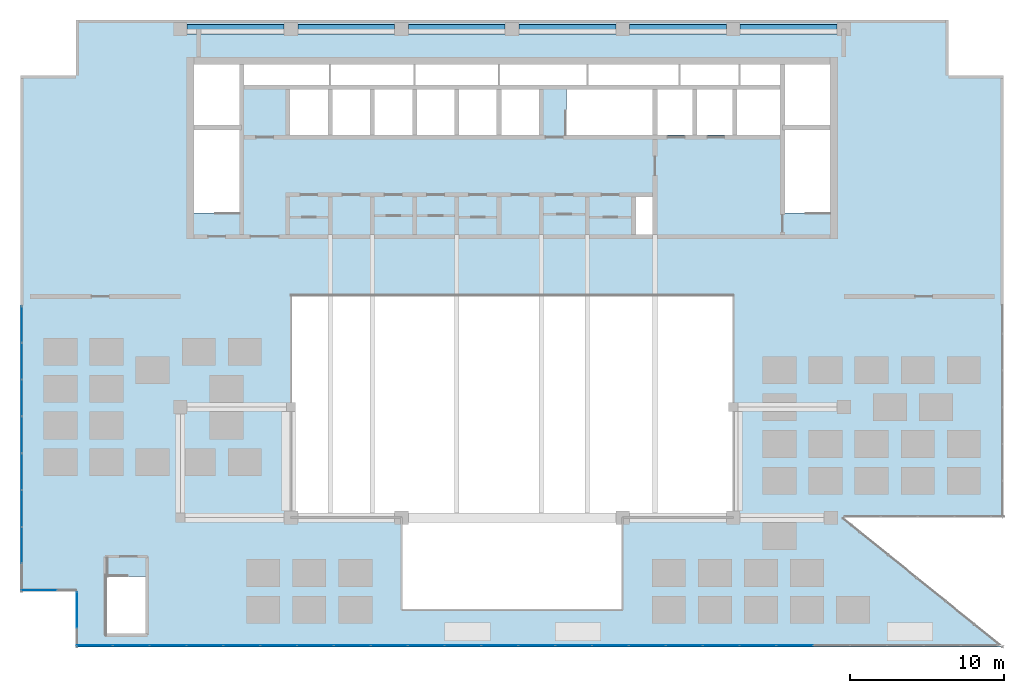
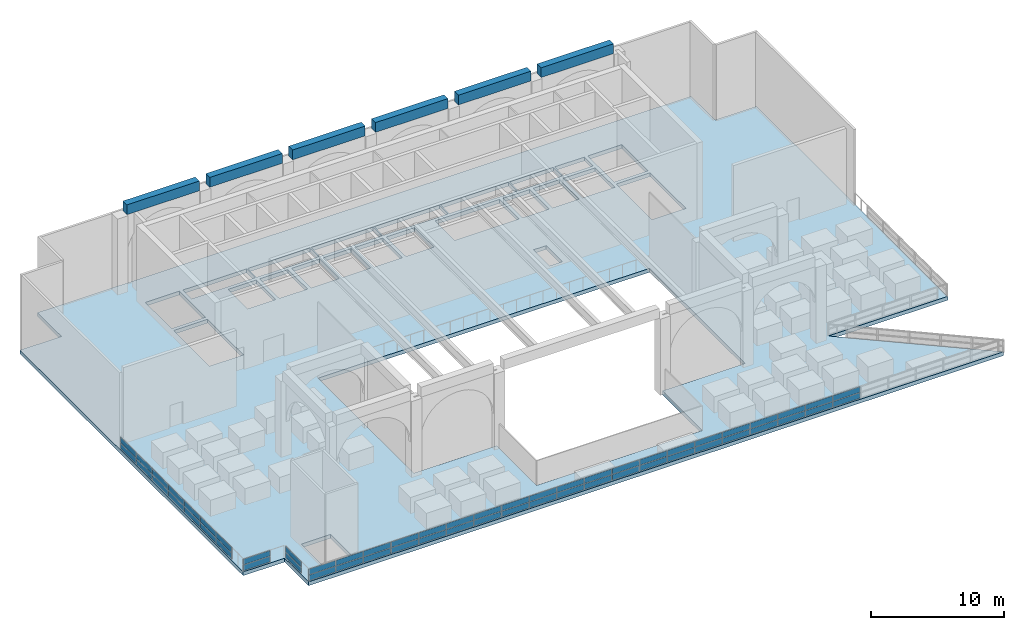
# One storey, part 11 of 17: 58 plates, 6 beams, 1 slab, 4 elements without a shape of their own.
"""IFC4 building model written with IfcOpenShell, lengths in metres."""

import ifcopenshell
import ifcopenshell.guid

model = None  # the IFC model being written
_history = None  # IfcOwnerHistory: only IFC2X3 demands one
_inside = {}  # id of a spatial element -> (the spatial element, [elements in it])
_under = {}  # id of a project, library or spatial element -> (it, [spatial elements below it])
_declared = {}  # id of a project -> (the project, [libraries it declares])
_typed = {}  # id of a type object -> (the type object, [elements of that type])
_made_of = {}  # id of a material, layer set ... -> (it, [elements and type objects made of it])


def new_model(schema):
    """Start an empty IFC model of exactly this schema.

    Asked for "IFC4X3", IfcOpenShell would pick the latest addendum, in which some entities
    have other attributes; the version numbers below select the first issue.
    IFC2X3 requires an IfcOwnerHistory on every rooted entity: one is made here for all.
    """
    global model, _history
    if schema == "IFC4X3":
        model = ifcopenshell.file(schema_version=(4, 3, 0, 0))
    else:
        model = ifcopenshell.file(schema=schema)
    _inside.clear()
    _under.clear()
    _declared.clear()
    _typed.clear()
    _made_of.clear()
    _history = None
    if model.schema == "IFC2X3":
        org = make("IfcOrganization", Name="unknown")
        user = make(
            "IfcPersonAndOrganization",
            ThePerson=make("IfcPerson", FamilyName="unknown"),
            TheOrganization=org,
        )
        app = make(
            "IfcApplication",
            ApplicationDeveloper=org,
            Version="unknown",
            ApplicationFullName="unknown",
            ApplicationIdentifier="unknown",
        )
        _history = make(
            "IfcOwnerHistory",
            OwningUser=user,
            OwningApplication=app,
            ChangeAction="ADDED",
            CreationDate=0,
        )
    return model


def make(cls, **values):
    """One entity of the class cls with the attributes given. An attribute that is None is left unset."""
    return model.create_entity(
        cls, **{name: value for name, value in values.items() if value is not None}
    )


def rooted(cls, **values):
    """An entity with a GlobalId (a new one), such as an element, a storey or a relation."""
    return make(cls, GlobalId=ifcopenshell.guid.new(), OwnerHistory=_history, **values)


def si_unit(unit_type, name, prefix=None):
    """IfcSIUnit, for example si_unit("LENGTHUNIT", "METRE", prefix="MILLI")."""
    return make("IfcSIUnit", UnitType=unit_type, Prefix=prefix, Name=name)


def assignment(units):
    """IfcUnitAssignment: the units of a project."""
    return None if units is None else make("IfcUnitAssignment", Units=units)


def point(xyz):
    """IfcCartesianPoint."""
    return None if xyz is None else make("IfcCartesianPoint", Coordinates=xyz)


def direction(xyz):
    """IfcDirection."""
    return None if xyz is None else make("IfcDirection", DirectionRatios=xyz)


def frame(location, z_axis=None, x_axis=None):
    """IfcAxis2Placement3D, a coordinate frame: its origin and axes. An axis left out is left unset."""
    return make(
        "IfcAxis2Placement3D",
        Location=point(location),
        Axis=direction(z_axis),
        RefDirection=direction(x_axis),
    )


def frame_2d(location, x_axis=None):
    """IfcAxis2Placement2D, a coordinate frame in the plane: its origin and x axis."""
    return make(
        "IfcAxis2Placement2D", Location=point(location), RefDirection=direction(x_axis)
    )


def origin():
    """The frame at (0, 0, 0) with its axes left unset."""
    return frame((0.0, 0.0, 0.0))


def origin_2d():
    """The frame at (0, 0) in the plane with its x axis left unset."""
    return frame_2d((0.0, 0.0))


def place(relative_to, where):
    """IfcLocalPlacement: puts the frame where relative to a parent placement (None: the world)."""
    return make(
        "IfcLocalPlacement", PlacementRelTo=relative_to, RelativePlacement=where
    )


def context(
    kind, dimensions, precision=None, world=None, true_north=None, identifier=None
):
    """IfcGeometricRepresentationContext, for example the 3D "Model" context."""
    return make(
        "IfcGeometricRepresentationContext",
        ContextIdentifier=identifier,
        ContextType=kind,
        CoordinateSpaceDimension=dimensions,
        Precision=precision,
        WorldCoordinateSystem=world,
        TrueNorth=true_north,
    )


def subcontext(parent, identifier, kind, view, scale=None):
    """IfcGeometricRepresentationSubContext, for example "Body" below "Model"."""
    return make(
        "IfcGeometricRepresentationSubContext",
        ContextIdentifier=identifier,
        ContextType=kind,
        ParentContext=parent,
        TargetScale=scale,
        TargetView=view,
    )


def project(units=None, contexts=None):
    """IfcProject with its units and contexts."""
    return rooted(
        "IfcProject",
        Name="project",
        RepresentationContexts=contexts,
        UnitsInContext=assignment(units),
    )


def spatial(cls, under=None, at=None, **own):
    """A site, building, storey or space (cls), placed at a placement, below another one or the project."""
    s = rooted(cls, ObjectPlacement=at, **own)
    if under is not None:
        _under.setdefault(under.id(), (under, []))[1].append(s)
    return s


def polyline(points):
    """IfcPolyline through the points."""
    return make("IfcPolyline", Points=[point(p) for p in points])


def profile(cls, at=None, kind="AREA", **sizes):
    """A parametric profile (cls). Its sizes go by their IFC names, for example OverallWidth=200.0."""
    return make(cls, ProfileType=kind, Position=at, **sizes)


def rectangle(**sizes):
    """IfcRectangleProfileDef."""
    return profile("IfcRectangleProfileDef", **sizes)


def outline(outer, holes=None, kind="AREA"):
    """IfcArbitraryClosedProfileDef: a profile drawn as a closed curve; with holes, ...WithVoids."""
    if holes is None:
        return make("IfcArbitraryClosedProfileDef", ProfileType=kind, OuterCurve=outer)
    return make(
        "IfcArbitraryProfileDefWithVoids",
        ProfileType=kind,
        OuterCurve=outer,
        InnerCurves=holes,
    )


def extrude(swept, where, along, depth):
    """IfcExtrudedAreaSolid: the profile swept, set in the frame where, extruded along a direction by depth."""
    return make(
        "IfcExtrudedAreaSolid",
        SweptArea=swept,
        Position=where,
        ExtrudedDirection=direction(along),
        Depth=depth,
    )


def shape(context_of_items, identifier, shape_type, items):
    """IfcShapeRepresentation: the items that make up one representation, for example the "Body"."""
    return make(
        "IfcShapeRepresentation",
        ContextOfItems=context_of_items,
        RepresentationIdentifier=identifier,
        RepresentationType=shape_type,
        Items=items,
    )


def source(mapping_origin, context_of_items, identifier, shape_type, items):
    """IfcRepresentationMap: a shape defined once, which mapped items show again and again."""
    return make(
        "IfcRepresentationMap",
        MappingOrigin=mapping_origin,
        MappedRepresentation=shape(context_of_items, identifier, shape_type, items),
    )


def transform(
    local_origin,
    x_axis=None,
    y_axis=None,
    z_axis=None,
    scale=None,
    scale2=None,
    scale3=None,
    uniform=True,
):
    """IfcCartesianTransformationOperator3D, or its non-uniform kind. x_axis, y_axis, z_axis: its Axis1, 2, 3."""
    if uniform:
        return make(
            "IfcCartesianTransformationOperator3D",
            Axis1=direction(x_axis),
            Axis2=direction(y_axis),
            LocalOrigin=point(local_origin),
            Scale=scale,
            Axis3=direction(z_axis),
        )
    return make(
        "IfcCartesianTransformationOperator3DnonUniform",
        Axis1=direction(x_axis),
        Axis2=direction(y_axis),
        LocalOrigin=point(local_origin),
        Scale=scale,
        Axis3=direction(z_axis),
        Scale2=scale2,
        Scale3=scale3,
    )


def mapped(mapping_source, mapping_target):
    """IfcMappedItem: shows the shape of a source again, moved by a transform."""
    return make(
        "IfcMappedItem", MappingSource=mapping_source, MappingTarget=mapping_target
    )


def material(Name=None, Category=None):
    """IfcMaterial."""
    return make("IfcMaterial", Name=Name, Category=Category)


def layer(
    of_material, thickness, ventilated=None, Name=None, Category=None, Priority=None
):
    """IfcMaterialLayer: one layer of a wall or slab, of a material (None: an air gap)."""
    return make(
        "IfcMaterialLayer",
        Material=of_material,
        LayerThickness=thickness,
        IsVentilated=ventilated,
        Name=Name,
        Category=Category,
        Priority=Priority,
    )


def layer_set(layers, Name=None):
    """IfcMaterialLayerSet."""
    return make("IfcMaterialLayerSet", MaterialLayers=layers, LayerSetName=Name)


def material_profile(
    of_material, cross_section, Name=None, Category=None, Priority=None
):
    """IfcMaterialProfile: a cross section and its material."""
    return make(
        "IfcMaterialProfile",
        Name=Name,
        Material=of_material,
        Profile=cross_section,
        Priority=Priority,
        Category=Category,
    )


def profile_set(profiles, Name=None, composite=None):
    """IfcMaterialProfileSet."""
    return make(
        "IfcMaterialProfileSet",
        Name=Name,
        MaterialProfiles=profiles,
        CompositeProfile=composite,
    )


def made_of(thing, what):
    """Note that an element or type object is made of a material, layer set ...; save() writes the relation."""
    if what is not None:
        _made_of.setdefault(what.id(), (what, []))[1].append(thing)
    return thing


def type_object(cls, material=None, **own):
    """A type object (cls), such as IfcWallType, which elements share."""
    return made_of(rooted(cls, **own), material)


def element(
    cls,
    number,
    at=None,
    inside=None,
    cuts=None,
    type_object=None,
    material=None,
    context=None,
    identifier="Body",
    shape_type=None,
    held_by="IfcProductDefinitionShape",
    body=None,
    shapes=None,
    **own,
):
    """One element of the class cls, such as IfcWall. Its Tag is "e" and its number.

    at: its placement. inside: the storey or other place that contains it. cuts: it is an
    opening in that element (IfcRelVoidsElement). A single representation is given by context,
    identifier, shape_type and body (its items); several are given by shapes. held_by: the class
    of the entity that holds the representations. save() writes the other relations.
    """
    e = rooted(cls, Tag="e%d" % number, ObjectPlacement=at, **own)
    if body is not None:
        shapes = [shape(context, identifier, shape_type, body)]
    if shapes is not None:
        e.Representation = make(held_by, Representations=shapes)
    if inside is not None:
        _inside.setdefault(inside.id(), (inside, []))[1].append(e)
    if cuts is not None:
        rooted(
            "IfcRelVoidsElement", RelatingBuildingElement=cuts, RelatedOpeningElement=e
        )
    if type_object is not None:
        _typed.setdefault(type_object.id(), (type_object, []))[1].append(e)
    return made_of(e, material)


def aggregate(whole, parts):
    """IfcRelAggregates: a whole, such as a stair, and the parts it consists of."""
    return rooted("IfcRelAggregates", RelatingObject=whole, RelatedObjects=parts)


def save(model, path):
    """Write the relations noted so far, then the file.

    IfcRelAggregates (storeys below a building ...), IfcRelContainedInSpatialStructure (elements
    in a storey), IfcRelDefinesByType, IfcRelAssociatesMaterial and IfcRelDeclares: one each for
    every whole, place, type object, material and project.
    """
    for whole, parts in _under.values():
        aggregate(whole, parts)
    for where, things in _inside.values():
        rooted(
            "IfcRelContainedInSpatialStructure",
            RelatedElements=things,
            RelatingStructure=where,
        )
    for kind, things in _typed.values():
        rooted("IfcRelDefinesByType", RelatedObjects=things, RelatingType=kind)
    for what, things in _made_of.values():
        rooted("IfcRelAssociatesMaterial", RelatedObjects=things, RelatingMaterial=what)
    for by, libraries in _declared.values():
        rooted("IfcRelDeclares", RelatingContext=by, RelatedDefinitions=libraries)
    model.write(path)


model = new_model("IFC4")

# Units and contexts
model_context = context("Model", 3, precision=1e-05, world=origin(), true_north=direction((0.0, 1.0)))
body_context = subcontext(model_context, "Body", "Model", "MODEL_VIEW")
ifc_project = project(units=[si_unit("LENGTHUNIT", "METRE"), si_unit("AREAUNIT", "SQUARE_METRE"), si_unit("VOLUMEUNIT", "CUBIC_METRE"), si_unit("PLANEANGLEUNIT", "RADIAN"), si_unit("MASSUNIT", "GRAM", prefix="KILO")], contexts=[model_context])

# Site, building, storey
site_placement = place(None, origin())
site = spatial("IfcSite", under=ifc_project, at=site_placement, CompositionType="ELEMENT")
building_placement = place(site_placement, origin())
building = spatial("IfcBuilding", under=site, at=building_placement, Name="Saffron Iwan Residences", CompositionType="ELEMENT")
storey_placement = place(building_placement, frame((0.0, 0.0, 274.5)))
storey = spatial("IfcBuildingStorey", under=building, at=storey_placement, Name="L74", CompositionType="ELEMENT", Elevation=274.5)

# Beams
ifc_material_1 = material(Name="Concrete C40/50", Category="concrete")
ifc_material_profile = material_profile(ifc_material_1, rectangle(XDim=0.60009765625, YDim=0.89990234375, at=origin_2d()), Name="RC 600x900")
ifc_profile_set = profile_set([ifc_material_profile], Name="Concrete C40/50")
beam_type = type_object("IfcBeamType", Name="BEAM RC 600x900 C40/50 TOP 7900", PredefinedType="BEAM", material=ifc_profile_set)
shared_shape_1 = source(origin(), body_context, "Body", "SweptSolid", [
    extrude(rectangle(XDim=0.60009765625, YDim=0.89990234375, at=origin_2d()), origin(), (0.0, 0.0, 1.0), 6.300048828125),
])
for number, where, z_axis, x_axis, name in (
    (1, (29.25, 79.800048828125, 7.449951171875), (1.0, 0.0, 0.0), (0.0, 1.0, 0.0), "Crown ring beam"),
    (2, (36.449951171875, 79.800048828125, 7.449951171875), (1.0, 0.0, 0.0), (0.0, 1.0, 0.0), "Crown ring beam"),
    (3, (43.64990234375, 79.800048828125, 7.449951171875), (1.0, 0.0, 0.0), (0.0, 1.0, 0.0), "Crown ring beam"),
    (4, (58.050048828125, 79.800048828125, 7.449951171875), (1.0, 0.0, 0.0), (0.0, 1.0, 0.0), "Crown ring beam"),
    (5, (65.25, 79.800048828125, 7.449951171875), (1.0, 0.0, 0.0), (0.0, 1.0, 0.0), "Crown ring beam"),
):
    element("IfcBeam", number, at=place(storey_placement, frame(where, z_axis=z_axis, x_axis=x_axis)), inside=storey, type_object=beam_type, Name=name, PredefinedType="BEAM", context=body_context, shape_type="MappedRepresentation", body=[
        mapped(shared_shape_1, transform((0.0, 0.0, 0.0))),
    ])
shared_shape_2 = source(origin(), body_context, "Body", "SweptSolid", [
    extrude(rectangle(XDim=0.60009765625, YDim=0.89990234375, at=origin_2d()), origin(), (0.0, 0.0, 1.0), 6.2998046875),
])
beam_placement = place(storey_placement, frame((50.85009765625, 79.800048828125, 7.449951171875), z_axis=(1.0, 0.0, 0.0), x_axis=(0.0, 1.0, 0.0)))
element("IfcBeam", 6, at=beam_placement, inside=storey, type_object=beam_type, Name="Crown ring beam", PredefinedType="BEAM", context=body_context, shape_type="MappedRepresentation", body=[
    mapped(shared_shape_2, transform((0.0, 0.0, 0.0))),
])

# Slab
ifc_layer_1 = layer(ifc_material_1, 0.35009765625)
ifc_layer_set_1 = layer_set([ifc_layer_1], Name="Concrete C40/50")
slab_type = type_object("IfcSlabType", Name="PT TERRACE PLATE 350 C40/50", PredefinedType="FLOOR", material=ifc_layer_set_1)
slab_placement = place(storey_placement, frame((0.0, 0.0, -0.35009765625)))
element("IfcSlab", 7, at=slab_placement, inside=storey, type_object=slab_type, Name="Terrace slab L74", PredefinedType="FLOOR", context=body_context, shape_type="SweptSolid", body=[
    extrude(outline(polyline([(18.39990234375, 43.199951171875), (18.39990234375, 76.800048828125), (22.0, 76.800048828125), (22.0, 80.39990234375), (78.800048828125, 80.39990234375), (78.800048828125, 76.800048828125), (82.39990234375, 76.800048828125), (82.39990234375, 48.0), (72.0, 48.0), (82.39990234375, 39.60009765625), (22.0, 39.60009765625), (22.0, 43.199951171875), (18.39990234375, 43.199951171875)]), holes=[polyline([(64.800048828125, 48.0), (64.800048828125, 62.39990234375), (36.0, 62.39990234375), (36.0, 48.0), (43.199951171875, 48.0), (43.199951171875, 42.0), (57.60009765625, 42.0), (57.60009765625, 48.0), (64.800048828125, 48.0)]), polyline([(26.550048828125, 44.169677734375), (24.0, 44.169677734375), (24.0, 40.449951171875), (26.550048828125, 40.449951171875), (26.550048828125, 44.169677734375)]), polyline([(32.64990234375, 73.25), (29.699951171875, 73.25), (29.699951171875, 67.8505859375), (32.64990234375, 67.8505859375), (32.64990234375, 73.25)]), polyline([(38.39990234375, 75.875), (35.949951171875, 75.875), (35.949951171875, 72.925048828125), (38.39990234375, 72.925048828125), (38.39990234375, 75.875)]), polyline([(41.14990234375, 72.925048828125), (41.14990234375, 75.875), (38.699951171875, 75.875), (38.699951171875, 72.925048828125), (41.14990234375, 72.925048828125)]), polyline([(43.89990234375, 72.925048828125), (43.89990234375, 75.875), (41.449951171875, 75.875), (41.449951171875, 72.925048828125), (43.89990234375, 72.925048828125)]), polyline([(46.64990234375, 75.875), (44.199951171875, 75.875), (44.199951171875, 72.925048828125), (46.64990234375, 72.925048828125), (46.64990234375, 75.875)]), polyline([(49.39990234375, 72.925048828125), (49.39990234375, 75.875), (46.949951171875, 75.875), (46.949951171875, 72.925048828125), (49.39990234375, 72.925048828125)]), polyline([(52.14990234375, 72.925048828125), (52.14990234375, 75.875), (49.699951171875, 75.875), (49.699951171875, 72.925048828125), (52.14990234375, 72.925048828125)]), polyline([(32.64990234375, 77.5), (29.699951171875, 77.5), (29.699951171875, 73.550048828125), (32.64990234375, 73.550048828125), (32.64990234375, 77.5)]), polyline([(38.5, 76.175048828125), (38.5, 77.5), (32.949951171875, 77.5), (32.949951171875, 76.175048828125), (38.5, 76.175048828125)]), polyline([(44.0, 76.175048828125), (44.0, 77.5), (38.60009765625, 77.5), (38.60009765625, 76.175048828125), (44.0, 76.175048828125)]), polyline([(49.5, 77.5), (44.10009765625, 77.5), (44.10009765625, 76.175048828125), (49.5, 76.175048828125), (49.5, 77.5)]), polyline([(59.550048828125, 66.449951171875), (59.550048828125, 68.875), (58.449951171875, 68.875), (58.449951171875, 66.449951171875), (59.550048828125, 66.449951171875)]), polyline([(71.10009765625, 67.8505859375), (71.10009765625, 73.25), (68.14990234375, 73.25), (68.14990234375, 67.8505859375), (71.10009765625, 67.8505859375)]), polyline([(59.550048828125, 72.925048828125), (59.550048828125, 75.875), (53.925537109375, 75.875), (53.925537109375, 72.925048828125), (59.550048828125, 72.925048828125)]), polyline([(62.14990234375, 72.925048828125), (62.14990234375, 75.875), (59.85009765625, 75.875), (59.85009765625, 72.925048828125), (62.14990234375, 72.925048828125)]), polyline([(64.75, 72.925048828125), (64.75, 75.875), (62.449951171875, 75.875), (62.449951171875, 72.925048828125), (64.75, 72.925048828125)]), polyline([(67.85009765625, 75.875), (65.050048828125, 75.875), (65.050048828125, 72.925048828125), (67.85009765625, 72.925048828125), (67.85009765625, 75.875)]), polyline([(71.10009765625, 73.550048828125), (71.10009765625, 77.5), (68.14990234375, 77.5), (68.14990234375, 73.550048828125), (71.10009765625, 73.550048828125)]), polyline([(55.25, 76.175048828125), (55.25, 77.5), (49.60009765625, 77.5), (49.60009765625, 76.175048828125), (55.25, 76.175048828125)]), polyline([(61.25, 77.5), (55.35009765625, 77.5), (55.35009765625, 76.175048828125), (61.25, 76.175048828125), (61.25, 77.5)]), polyline([(65.14990234375, 76.175048828125), (65.14990234375, 77.5), (61.35009765625, 77.5), (61.35009765625, 76.175048828125), (65.14990234375, 76.175048828125)]), polyline([(67.85009765625, 76.175048828125), (67.85009765625, 77.5), (65.25, 77.5), (65.25, 76.175048828125), (67.85009765625, 76.175048828125)])]), origin(), (0.0, 0.0, 1.0), 0.35009765625),
])

# Curtain wall, plates
ifc_material_2 = material(Name="Clear glass, laminated double glazed", Category="glass")
ifc_layer_2 = layer(ifc_material_2, 0.10009765625)
ifc_layer_set_2 = layer_set([ifc_layer_2], Name="Clear glass, laminated double glazed")
curtain_wall_type = type_object("IfcCurtainWallType", Name="CW-F ROOF TERRACE GLAZED GUARD", PredefinedType="NOTDEFINED", material=ifc_layer_set_2)
curtain_wall_1_placement = place(storey_placement, origin())
curtain_wall_1 = element("IfcCurtainWall", 8, at=curtain_wall_1_placement, inside=storey, type_object=curtain_wall_type, Name="Glazed terrace guard F8.6", PredefinedType="NOTDEFINED")
ifc_layer_3 = layer(ifc_material_2, 0.02392578125)
ifc_layer_set_3 = layer_set([ifc_layer_3], Name="Clear glass, laminated double glazed")
plate_type = type_object("IfcPlateType", Name="CW-F PANEL 24", PredefinedType="CURTAIN_PANEL", material=ifc_layer_set_3)
shared_shape_3 = source(origin(), body_context, "Body", "SweptSolid", [
    extrude(rectangle(XDim=2.324951171875, YDim=0.02392578125, at=origin_2d()), origin(), (0.0, 0.0, 1.0), 0.5),
])
plate_1_placement = place(storey_placement, frame((18.47509765625, 60.58740234375, 0.050048828125), z_axis=(0.0, 0.0, 1.0), x_axis=(0.0, -1.0, 0.0)))
plate_1 = element("IfcPlate", 9, at=plate_1_placement, type_object=plate_type, Name="CW-F panel 1.1", PredefinedType="CURTAIN_PANEL", context=body_context, shape_type="MappedRepresentation", body=[
    mapped(shared_shape_3, transform((0.0, 0.0, 0.0))),
])
plate_2_placement = place(storey_placement, frame((18.47509765625, 60.58740234375, 0.60009765625), z_axis=(0.0, 0.0, 1.0), x_axis=(0.0, -1.0, 0.0)))
plate_2 = element("IfcPlate", 10, at=plate_2_placement, type_object=plate_type, Name="CW-F panel 1.2", PredefinedType="CURTAIN_PANEL", context=body_context, shape_type="MappedRepresentation", body=[
    mapped(shared_shape_3, transform((0.0, 0.0, 0.0))),
])
plate_3_placement = place(storey_placement, frame((18.47509765625, 46.21240234375, 0.050048828125), z_axis=(0.0, 0.0, 1.0), x_axis=(0.0, -1.0, 0.0)))
plate_3 = element("IfcPlate", 11, at=plate_3_placement, type_object=plate_type, Name="CW-F panel 7.1", PredefinedType="CURTAIN_PANEL", context=body_context, shape_type="MappedRepresentation", body=[
    mapped(shared_shape_3, transform((0.0, 0.0, 0.0))),
])
plate_4_placement = place(storey_placement, frame((18.47509765625, 46.21240234375, 0.60009765625), z_axis=(0.0, 0.0, 1.0), x_axis=(0.0, -1.0, 0.0)))
plate_4 = element("IfcPlate", 12, at=plate_4_placement, type_object=plate_type, Name="CW-F panel 7.2", PredefinedType="CURTAIN_PANEL", context=body_context, shape_type="MappedRepresentation", body=[
    mapped(shared_shape_3, transform((0.0, 0.0, 0.0))),
])

curtain_wall_2_placement = place(storey_placement, origin())
curtain_wall_2 = element("IfcCurtainWall", 13, at=curtain_wall_2_placement, inside=storey, type_object=curtain_wall_type, Name="Glazed terrace guard F11.12", PredefinedType="NOTDEFINED")
plate_5_placement = place(storey_placement, frame((23.21240234375, 39.675048828125, 0.050048828125), z_axis=(0.0, 0.0, 1.0), x_axis=(1.0, 0.0, 0.0)))
plate_5 = element("IfcPlate", 14, at=plate_5_placement, type_object=plate_type, Name="CW-F panel 1.1", PredefinedType="CURTAIN_PANEL", context=body_context, shape_type="MappedRepresentation", body=[
    mapped(shared_shape_3, transform((0.0, 0.0, 0.0))),
])
plate_6_placement = place(storey_placement, frame((23.21240234375, 39.675048828125, 0.60009765625), z_axis=(0.0, 0.0, 1.0), x_axis=(1.0, 0.0, 0.0)))
plate_6 = element("IfcPlate", 15, at=plate_6_placement, type_object=plate_type, Name="CW-F panel 1.2", PredefinedType="CURTAIN_PANEL", context=body_context, shape_type="MappedRepresentation", body=[
    mapped(shared_shape_3, transform((0.0, 0.0, 0.0))),
])

# Plate
shared_shape_4 = source(origin(), body_context, "Body", "SweptSolid", [
    extrude(rectangle(XDim=2.35009765625, YDim=0.02392578125, at=origin_2d()), origin(), (0.0, 0.0, 1.0), 0.5),
])
plate_7_placement = place(storey_placement, frame((18.47509765625, 58.199951171875, 0.050048828125), z_axis=(0.0, 0.0, 1.0), x_axis=(0.0, -1.0, 0.0)))
plate_7 = element("IfcPlate", 16, at=plate_7_placement, type_object=plate_type, Name="CW-F panel 2.1", PredefinedType="CURTAIN_PANEL", context=body_context, shape_type="MappedRepresentation", body=[
    mapped(shared_shape_4, transform((0.0, 0.0, 0.0))),
])

plate_8_placement = place(storey_placement, frame((18.47509765625, 58.199951171875, 0.60009765625), z_axis=(0.0, 0.0, 1.0), x_axis=(0.0, -1.0, 0.0)))
plate_8 = element("IfcPlate", 17, at=plate_8_placement, type_object=plate_type, Name="CW-F panel 2.2", PredefinedType="CURTAIN_PANEL", context=body_context, shape_type="MappedRepresentation", body=[
    mapped(shared_shape_4, transform((0.0, 0.0, 0.0))),
])

plate_9_placement = place(storey_placement, frame((18.47509765625, 55.800048828125, 0.050048828125), z_axis=(0.0, 0.0, 1.0), x_axis=(0.0, -1.0, 0.0)))
plate_9 = element("IfcPlate", 18, at=plate_9_placement, type_object=plate_type, Name="CW-F panel 3.1", PredefinedType="CURTAIN_PANEL", context=body_context, shape_type="MappedRepresentation", body=[
    mapped(shared_shape_4, transform((0.0, 0.0, 0.0))),
])

plate_10_placement = place(storey_placement, frame((18.47509765625, 55.800048828125, 0.60009765625), z_axis=(0.0, 0.0, 1.0), x_axis=(0.0, -1.0, 0.0)))
plate_10 = element("IfcPlate", 19, at=plate_10_placement, type_object=plate_type, Name="CW-F panel 3.2", PredefinedType="CURTAIN_PANEL", context=body_context, shape_type="MappedRepresentation", body=[
    mapped(shared_shape_4, transform((0.0, 0.0, 0.0))),
])

plate_11_placement = place(storey_placement, frame((18.47509765625, 53.39990234375, 0.050048828125), z_axis=(0.0, 0.0, 1.0), x_axis=(0.0, -1.0, 0.0)))
plate_11 = element("IfcPlate", 20, at=plate_11_placement, type_object=plate_type, Name="CW-F panel 4.1", PredefinedType="CURTAIN_PANEL", context=body_context, shape_type="MappedRepresentation", body=[
    mapped(shared_shape_4, transform((0.0, 0.0, 0.0))),
])

plate_12_placement = place(storey_placement, frame((18.47509765625, 53.39990234375, 0.60009765625), z_axis=(0.0, 0.0, 1.0), x_axis=(0.0, -1.0, 0.0)))
plate_12 = element("IfcPlate", 21, at=plate_12_placement, type_object=plate_type, Name="CW-F panel 4.2", PredefinedType="CURTAIN_PANEL", context=body_context, shape_type="MappedRepresentation", body=[
    mapped(shared_shape_4, transform((0.0, 0.0, 0.0))),
])

plate_13_placement = place(storey_placement, frame((18.47509765625, 51.0, 0.050048828125), z_axis=(0.0, 0.0, 1.0), x_axis=(0.0, -1.0, 0.0)))
plate_13 = element("IfcPlate", 22, at=plate_13_placement, type_object=plate_type, Name="CW-F panel 5.1", PredefinedType="CURTAIN_PANEL", context=body_context, shape_type="MappedRepresentation", body=[
    mapped(shared_shape_4, transform((0.0, 0.0, 0.0))),
])

plate_14_placement = place(storey_placement, frame((18.47509765625, 51.0, 0.60009765625), z_axis=(0.0, 0.0, 1.0), x_axis=(0.0, -1.0, 0.0)))
plate_14 = element("IfcPlate", 23, at=plate_14_placement, type_object=plate_type, Name="CW-F panel 5.2", PredefinedType="CURTAIN_PANEL", context=body_context, shape_type="MappedRepresentation", body=[
    mapped(shared_shape_4, transform((0.0, 0.0, 0.0))),
])

plate_15_placement = place(storey_placement, frame((18.47509765625, 48.60009765625, 0.050048828125), z_axis=(0.0, 0.0, 1.0), x_axis=(0.0, -1.0, 0.0)))
plate_15 = element("IfcPlate", 24, at=plate_15_placement, type_object=plate_type, Name="CW-F panel 6.1", PredefinedType="CURTAIN_PANEL", context=body_context, shape_type="MappedRepresentation", body=[
    mapped(shared_shape_4, transform((0.0, 0.0, 0.0))),
])

plate_16_placement = place(storey_placement, frame((18.47509765625, 48.60009765625, 0.60009765625), z_axis=(0.0, 0.0, 1.0), x_axis=(0.0, -1.0, 0.0)))
plate_16 = element("IfcPlate", 25, at=plate_16_placement, type_object=plate_type, Name="CW-F panel 6.2", PredefinedType="CURTAIN_PANEL", context=body_context, shape_type="MappedRepresentation", body=[
    mapped(shared_shape_4, transform((0.0, 0.0, 0.0))),
])

aggregate(curtain_wall_1, [plate_1, plate_2, plate_7, plate_8, plate_9, plate_10, plate_11, plate_12, plate_13, plate_14, plate_15, plate_16, plate_3, plate_4])

plate_17_placement = place(storey_placement, frame((25.60009765625, 39.675048828125, 0.050048828125), z_axis=(0.0, 0.0, 1.0), x_axis=(1.0, 0.0, 0.0)))
plate_17 = element("IfcPlate", 26, at=plate_17_placement, type_object=plate_type, Name="CW-F panel 2.1", PredefinedType="CURTAIN_PANEL", context=body_context, shape_type="MappedRepresentation", body=[
    mapped(shared_shape_4, transform((0.0, 0.0, 0.0))),
])

plate_18_placement = place(storey_placement, frame((25.60009765625, 39.675048828125, 0.60009765625), z_axis=(0.0, 0.0, 1.0), x_axis=(1.0, 0.0, 0.0)))
plate_18 = element("IfcPlate", 27, at=plate_18_placement, type_object=plate_type, Name="CW-F panel 2.2", PredefinedType="CURTAIN_PANEL", context=body_context, shape_type="MappedRepresentation", body=[
    mapped(shared_shape_4, transform((0.0, 0.0, 0.0))),
])

plate_19_placement = place(storey_placement, frame((28.0, 39.675048828125, 0.050048828125), z_axis=(0.0, 0.0, 1.0), x_axis=(1.0, 0.0, 0.0)))
plate_19 = element("IfcPlate", 28, at=plate_19_placement, type_object=plate_type, Name="CW-F panel 3.1", PredefinedType="CURTAIN_PANEL", context=body_context, shape_type="MappedRepresentation", body=[
    mapped(shared_shape_4, transform((0.0, 0.0, 0.0))),
])

plate_20_placement = place(storey_placement, frame((28.0, 39.675048828125, 0.60009765625), z_axis=(0.0, 0.0, 1.0), x_axis=(1.0, 0.0, 0.0)))
plate_20 = element("IfcPlate", 29, at=plate_20_placement, type_object=plate_type, Name="CW-F panel 3.2", PredefinedType="CURTAIN_PANEL", context=body_context, shape_type="MappedRepresentation", body=[
    mapped(shared_shape_4, transform((0.0, 0.0, 0.0))),
])

plate_21_placement = place(storey_placement, frame((30.39990234375, 39.675048828125, 0.050048828125), z_axis=(0.0, 0.0, 1.0), x_axis=(1.0, 0.0, 0.0)))
plate_21 = element("IfcPlate", 30, at=plate_21_placement, type_object=plate_type, Name="CW-F panel 4.1", PredefinedType="CURTAIN_PANEL", context=body_context, shape_type="MappedRepresentation", body=[
    mapped(shared_shape_4, transform((0.0, 0.0, 0.0))),
])

plate_22_placement = place(storey_placement, frame((30.39990234375, 39.675048828125, 0.60009765625), z_axis=(0.0, 0.0, 1.0), x_axis=(1.0, 0.0, 0.0)))
plate_22 = element("IfcPlate", 31, at=plate_22_placement, type_object=plate_type, Name="CW-F panel 4.2", PredefinedType="CURTAIN_PANEL", context=body_context, shape_type="MappedRepresentation", body=[
    mapped(shared_shape_4, transform((0.0, 0.0, 0.0))),
])

plate_23_placement = place(storey_placement, frame((32.800048828125, 39.675048828125, 0.050048828125), z_axis=(0.0, 0.0, 1.0), x_axis=(1.0, 0.0, 0.0)))
plate_23 = element("IfcPlate", 32, at=plate_23_placement, type_object=plate_type, Name="CW-F panel 5.1", PredefinedType="CURTAIN_PANEL", context=body_context, shape_type="MappedRepresentation", body=[
    mapped(shared_shape_4, transform((0.0, 0.0, 0.0))),
])

plate_24_placement = place(storey_placement, frame((32.800048828125, 39.675048828125, 0.60009765625), z_axis=(0.0, 0.0, 1.0), x_axis=(1.0, 0.0, 0.0)))
plate_24 = element("IfcPlate", 33, at=plate_24_placement, type_object=plate_type, Name="CW-F panel 5.2", PredefinedType="CURTAIN_PANEL", context=body_context, shape_type="MappedRepresentation", body=[
    mapped(shared_shape_4, transform((0.0, 0.0, 0.0))),
])

plate_25_placement = place(storey_placement, frame((35.199951171875, 39.675048828125, 0.050048828125), z_axis=(0.0, 0.0, 1.0), x_axis=(1.0, 0.0, 0.0)))
plate_25 = element("IfcPlate", 34, at=plate_25_placement, type_object=plate_type, Name="CW-F panel 6.1", PredefinedType="CURTAIN_PANEL", context=body_context, shape_type="MappedRepresentation", body=[
    mapped(shared_shape_4, transform((0.0, 0.0, 0.0))),
])

plate_26_placement = place(storey_placement, frame((35.199951171875, 39.675048828125, 0.60009765625), z_axis=(0.0, 0.0, 1.0), x_axis=(1.0, 0.0, 0.0)))
plate_26 = element("IfcPlate", 35, at=plate_26_placement, type_object=plate_type, Name="CW-F panel 6.2", PredefinedType="CURTAIN_PANEL", context=body_context, shape_type="MappedRepresentation", body=[
    mapped(shared_shape_4, transform((0.0, 0.0, 0.0))),
])

plate_27_placement = place(storey_placement, frame((37.60009765625, 39.675048828125, 0.050048828125), z_axis=(0.0, 0.0, 1.0), x_axis=(1.0, 0.0, 0.0)))
plate_27 = element("IfcPlate", 36, at=plate_27_placement, type_object=plate_type, Name="CW-F panel 7.1", PredefinedType="CURTAIN_PANEL", context=body_context, shape_type="MappedRepresentation", body=[
    mapped(shared_shape_4, transform((0.0, 0.0, 0.0))),
])

plate_28_placement = place(storey_placement, frame((37.60009765625, 39.675048828125, 0.60009765625), z_axis=(0.0, 0.0, 1.0), x_axis=(1.0, 0.0, 0.0)))
plate_28 = element("IfcPlate", 37, at=plate_28_placement, type_object=plate_type, Name="CW-F panel 7.2", PredefinedType="CURTAIN_PANEL", context=body_context, shape_type="MappedRepresentation", body=[
    mapped(shared_shape_4, transform((0.0, 0.0, 0.0))),
])

plate_29_placement = place(storey_placement, frame((40.0, 39.675048828125, 0.050048828125), z_axis=(0.0, 0.0, 1.0), x_axis=(1.0, 0.0, 0.0)))
plate_29 = element("IfcPlate", 38, at=plate_29_placement, type_object=plate_type, Name="CW-F panel 8.1", PredefinedType="CURTAIN_PANEL", context=body_context, shape_type="MappedRepresentation", body=[
    mapped(shared_shape_4, transform((0.0, 0.0, 0.0))),
])

plate_30_placement = place(storey_placement, frame((40.0, 39.675048828125, 0.60009765625), z_axis=(0.0, 0.0, 1.0), x_axis=(1.0, 0.0, 0.0)))
plate_30 = element("IfcPlate", 39, at=plate_30_placement, type_object=plate_type, Name="CW-F panel 8.2", PredefinedType="CURTAIN_PANEL", context=body_context, shape_type="MappedRepresentation", body=[
    mapped(shared_shape_4, transform((0.0, 0.0, 0.0))),
])

plate_31_placement = place(storey_placement, frame((42.39990234375, 39.675048828125, 0.050048828125), z_axis=(0.0, 0.0, 1.0), x_axis=(1.0, 0.0, 0.0)))
plate_31 = element("IfcPlate", 40, at=plate_31_placement, type_object=plate_type, Name="CW-F panel 9.1", PredefinedType="CURTAIN_PANEL", context=body_context, shape_type="MappedRepresentation", body=[
    mapped(shared_shape_4, transform((0.0, 0.0, 0.0))),
])

plate_32_placement = place(storey_placement, frame((42.39990234375, 39.675048828125, 0.60009765625), z_axis=(0.0, 0.0, 1.0), x_axis=(1.0, 0.0, 0.0)))
plate_32 = element("IfcPlate", 41, at=plate_32_placement, type_object=plate_type, Name="CW-F panel 9.2", PredefinedType="CURTAIN_PANEL", context=body_context, shape_type="MappedRepresentation", body=[
    mapped(shared_shape_4, transform((0.0, 0.0, 0.0))),
])

plate_33_placement = place(storey_placement, frame((44.800048828125, 39.675048828125, 0.050048828125), z_axis=(0.0, 0.0, 1.0), x_axis=(1.0, 0.0, 0.0)))
plate_33 = element("IfcPlate", 42, at=plate_33_placement, type_object=plate_type, Name="CW-F panel 10.1", PredefinedType="CURTAIN_PANEL", context=body_context, shape_type="MappedRepresentation", body=[
    mapped(shared_shape_4, transform((0.0, 0.0, 0.0))),
])

plate_34_placement = place(storey_placement, frame((44.800048828125, 39.675048828125, 0.60009765625), z_axis=(0.0, 0.0, 1.0), x_axis=(1.0, 0.0, 0.0)))
plate_34 = element("IfcPlate", 43, at=plate_34_placement, type_object=plate_type, Name="CW-F panel 10.2", PredefinedType="CURTAIN_PANEL", context=body_context, shape_type="MappedRepresentation", body=[
    mapped(shared_shape_4, transform((0.0, 0.0, 0.0))),
])

plate_35_placement = place(storey_placement, frame((47.199951171875, 39.675048828125, 0.050048828125), z_axis=(0.0, 0.0, 1.0), x_axis=(1.0, 0.0, 0.0)))
plate_35 = element("IfcPlate", 44, at=plate_35_placement, type_object=plate_type, Name="CW-F panel 11.1", PredefinedType="CURTAIN_PANEL", context=body_context, shape_type="MappedRepresentation", body=[
    mapped(shared_shape_4, transform((0.0, 0.0, 0.0))),
])

plate_36_placement = place(storey_placement, frame((47.199951171875, 39.675048828125, 0.60009765625), z_axis=(0.0, 0.0, 1.0), x_axis=(1.0, 0.0, 0.0)))
plate_36 = element("IfcPlate", 45, at=plate_36_placement, type_object=plate_type, Name="CW-F panel 11.2", PredefinedType="CURTAIN_PANEL", context=body_context, shape_type="MappedRepresentation", body=[
    mapped(shared_shape_4, transform((0.0, 0.0, 0.0))),
])

plate_37_placement = place(storey_placement, frame((49.60009765625, 39.675048828125, 0.050048828125), z_axis=(0.0, 0.0, 1.0), x_axis=(1.0, 0.0, 0.0)))
plate_37 = element("IfcPlate", 46, at=plate_37_placement, type_object=plate_type, Name="CW-F panel 12.1", PredefinedType="CURTAIN_PANEL", context=body_context, shape_type="MappedRepresentation", body=[
    mapped(shared_shape_4, transform((0.0, 0.0, 0.0))),
])

plate_38_placement = place(storey_placement, frame((49.60009765625, 39.675048828125, 0.60009765625), z_axis=(0.0, 0.0, 1.0), x_axis=(1.0, 0.0, 0.0)))
plate_38 = element("IfcPlate", 47, at=plate_38_placement, type_object=plate_type, Name="CW-F panel 12.2", PredefinedType="CURTAIN_PANEL", context=body_context, shape_type="MappedRepresentation", body=[
    mapped(shared_shape_4, transform((0.0, 0.0, 0.0))),
])

plate_39_placement = place(storey_placement, frame((52.0, 39.675048828125, 0.050048828125), z_axis=(0.0, 0.0, 1.0), x_axis=(1.0, 0.0, 0.0)))
plate_39 = element("IfcPlate", 48, at=plate_39_placement, type_object=plate_type, Name="CW-F panel 13.1", PredefinedType="CURTAIN_PANEL", context=body_context, shape_type="MappedRepresentation", body=[
    mapped(shared_shape_4, transform((0.0, 0.0, 0.0))),
])

plate_40_placement = place(storey_placement, frame((52.0, 39.675048828125, 0.60009765625), z_axis=(0.0, 0.0, 1.0), x_axis=(1.0, 0.0, 0.0)))
plate_40 = element("IfcPlate", 49, at=plate_40_placement, type_object=plate_type, Name="CW-F panel 13.2", PredefinedType="CURTAIN_PANEL", context=body_context, shape_type="MappedRepresentation", body=[
    mapped(shared_shape_4, transform((0.0, 0.0, 0.0))),
])

plate_41_placement = place(storey_placement, frame((54.39990234375, 39.675048828125, 0.050048828125), z_axis=(0.0, 0.0, 1.0), x_axis=(1.0, 0.0, 0.0)))
plate_41 = element("IfcPlate", 50, at=plate_41_placement, type_object=plate_type, Name="CW-F panel 14.1", PredefinedType="CURTAIN_PANEL", context=body_context, shape_type="MappedRepresentation", body=[
    mapped(shared_shape_4, transform((0.0, 0.0, 0.0))),
])

plate_42_placement = place(storey_placement, frame((54.39990234375, 39.675048828125, 0.60009765625), z_axis=(0.0, 0.0, 1.0), x_axis=(1.0, 0.0, 0.0)))
plate_42 = element("IfcPlate", 51, at=plate_42_placement, type_object=plate_type, Name="CW-F panel 14.2", PredefinedType="CURTAIN_PANEL", context=body_context, shape_type="MappedRepresentation", body=[
    mapped(shared_shape_4, transform((0.0, 0.0, 0.0))),
])

plate_43_placement = place(storey_placement, frame((56.800048828125, 39.675048828125, 0.050048828125), z_axis=(0.0, 0.0, 1.0), x_axis=(1.0, 0.0, 0.0)))
plate_43 = element("IfcPlate", 52, at=plate_43_placement, type_object=plate_type, Name="CW-F panel 15.1", PredefinedType="CURTAIN_PANEL", context=body_context, shape_type="MappedRepresentation", body=[
    mapped(shared_shape_4, transform((0.0, 0.0, 0.0))),
])

plate_44_placement = place(storey_placement, frame((56.800048828125, 39.675048828125, 0.60009765625), z_axis=(0.0, 0.0, 1.0), x_axis=(1.0, 0.0, 0.0)))
plate_44 = element("IfcPlate", 53, at=plate_44_placement, type_object=plate_type, Name="CW-F panel 15.2", PredefinedType="CURTAIN_PANEL", context=body_context, shape_type="MappedRepresentation", body=[
    mapped(shared_shape_4, transform((0.0, 0.0, 0.0))),
])

plate_45_placement = place(storey_placement, frame((59.199951171875, 39.675048828125, 0.050048828125), z_axis=(0.0, 0.0, 1.0), x_axis=(1.0, 0.0, 0.0)))
plate_45 = element("IfcPlate", 54, at=plate_45_placement, type_object=plate_type, Name="CW-F panel 16.1", PredefinedType="CURTAIN_PANEL", context=body_context, shape_type="MappedRepresentation", body=[
    mapped(shared_shape_4, transform((0.0, 0.0, 0.0))),
])

plate_46_placement = place(storey_placement, frame((59.199951171875, 39.675048828125, 0.60009765625), z_axis=(0.0, 0.0, 1.0), x_axis=(1.0, 0.0, 0.0)))
plate_46 = element("IfcPlate", 55, at=plate_46_placement, type_object=plate_type, Name="CW-F panel 16.2", PredefinedType="CURTAIN_PANEL", context=body_context, shape_type="MappedRepresentation", body=[
    mapped(shared_shape_4, transform((0.0, 0.0, 0.0))),
])

plate_47_placement = place(storey_placement, frame((61.60009765625, 39.675048828125, 0.050048828125), z_axis=(0.0, 0.0, 1.0), x_axis=(1.0, 0.0, 0.0)))
plate_47 = element("IfcPlate", 56, at=plate_47_placement, type_object=plate_type, Name="CW-F panel 17.1", PredefinedType="CURTAIN_PANEL", context=body_context, shape_type="MappedRepresentation", body=[
    mapped(shared_shape_4, transform((0.0, 0.0, 0.0))),
])

plate_48_placement = place(storey_placement, frame((61.60009765625, 39.675048828125, 0.60009765625), z_axis=(0.0, 0.0, 1.0), x_axis=(1.0, 0.0, 0.0)))
plate_48 = element("IfcPlate", 57, at=plate_48_placement, type_object=plate_type, Name="CW-F panel 17.2", PredefinedType="CURTAIN_PANEL", context=body_context, shape_type="MappedRepresentation", body=[
    mapped(shared_shape_4, transform((0.0, 0.0, 0.0))),
])

plate_49_placement = place(storey_placement, frame((64.0, 39.675048828125, 0.050048828125), z_axis=(0.0, 0.0, 1.0), x_axis=(1.0, 0.0, 0.0)))
plate_49 = element("IfcPlate", 58, at=plate_49_placement, type_object=plate_type, Name="CW-F panel 18.1", PredefinedType="CURTAIN_PANEL", context=body_context, shape_type="MappedRepresentation", body=[
    mapped(shared_shape_4, transform((0.0, 0.0, 0.0))),
])

plate_50_placement = place(storey_placement, frame((64.0, 39.675048828125, 0.60009765625), z_axis=(0.0, 0.0, 1.0), x_axis=(1.0, 0.0, 0.0)))
plate_50 = element("IfcPlate", 59, at=plate_50_placement, type_object=plate_type, Name="CW-F panel 18.2", PredefinedType="CURTAIN_PANEL", context=body_context, shape_type="MappedRepresentation", body=[
    mapped(shared_shape_4, transform((0.0, 0.0, 0.0))),
])

plate_51_placement = place(storey_placement, frame((66.39990234375, 39.675048828125, 0.050048828125), z_axis=(0.0, 0.0, 1.0), x_axis=(1.0, 0.0, 0.0)))
plate_51 = element("IfcPlate", 60, at=plate_51_placement, type_object=plate_type, Name="CW-F panel 19.1", PredefinedType="CURTAIN_PANEL", context=body_context, shape_type="MappedRepresentation", body=[
    mapped(shared_shape_4, transform((0.0, 0.0, 0.0))),
])

plate_52_placement = place(storey_placement, frame((66.39990234375, 39.675048828125, 0.60009765625), z_axis=(0.0, 0.0, 1.0), x_axis=(1.0, 0.0, 0.0)))
plate_52 = element("IfcPlate", 61, at=plate_52_placement, type_object=plate_type, Name="CW-F panel 19.2", PredefinedType="CURTAIN_PANEL", context=body_context, shape_type="MappedRepresentation", body=[
    mapped(shared_shape_4, transform((0.0, 0.0, 0.0))),
])

plate_53_placement = place(storey_placement, frame((68.800048828125, 39.675048828125, 0.050048828125), z_axis=(0.0, 0.0, 1.0), x_axis=(1.0, 0.0, 0.0)))
plate_53 = element("IfcPlate", 62, at=plate_53_placement, type_object=plate_type, Name="CW-F panel 20.1", PredefinedType="CURTAIN_PANEL", context=body_context, shape_type="MappedRepresentation", body=[
    mapped(shared_shape_4, transform((0.0, 0.0, 0.0))),
])

plate_54_placement = place(storey_placement, frame((68.800048828125, 39.675048828125, 0.60009765625), z_axis=(0.0, 0.0, 1.0), x_axis=(1.0, 0.0, 0.0)))
plate_54 = element("IfcPlate", 63, at=plate_54_placement, type_object=plate_type, Name="CW-F panel 20.2", PredefinedType="CURTAIN_PANEL", context=body_context, shape_type="MappedRepresentation", body=[
    mapped(shared_shape_4, transform((0.0, 0.0, 0.0))),
])

aggregate(curtain_wall_2, [plate_5, plate_6, plate_17, plate_18, plate_19, plate_20, plate_21, plate_22, plate_23, plate_24, plate_25, plate_26, plate_27, plate_28, plate_29, plate_30, plate_31, plate_32, plate_33, plate_34, plate_35, plate_36, plate_37, plate_38, plate_39, plate_40, plate_41, plate_42, plate_43, plate_44, plate_45, plate_46, plate_47, plate_48, plate_49, plate_50, plate_51, plate_52, plate_53, plate_54])

# Curtain wall, plates
curtain_wall_3_placement = place(storey_placement, origin())
curtain_wall_3 = element("IfcCurtainWall", 64, at=curtain_wall_3_placement, inside=storey, type_object=curtain_wall_type, Name="Glazed terrace guard F9.8", PredefinedType="NOTDEFINED")
shared_shape_5 = source(origin(), body_context, "Body", "SweptSolid", [
    extrude(rectangle(XDim=2.300048828125, YDim=0.02392578125, at=origin_2d()), origin(), (0.0, 0.0, 1.0), 0.5),
])
plate_55_placement = place(storey_placement, frame((19.60009765625, 43.27490234375, 0.050048828125), z_axis=(0.0, 0.0, 1.0), x_axis=(1.0, 0.0, 0.0)))
plate_55 = element("IfcPlate", 65, at=plate_55_placement, type_object=plate_type, Name="CW-F panel 1.1", PredefinedType="CURTAIN_PANEL", context=body_context, shape_type="MappedRepresentation", body=[
    mapped(shared_shape_5, transform((0.0, 0.0, 0.0))),
])
plate_56_placement = place(storey_placement, frame((19.60009765625, 43.27490234375, 0.60009765625), z_axis=(0.0, 0.0, 1.0), x_axis=(1.0, 0.0, 0.0)))
plate_56 = element("IfcPlate", 66, at=plate_56_placement, type_object=plate_type, Name="CW-F panel 1.2", PredefinedType="CURTAIN_PANEL", context=body_context, shape_type="MappedRepresentation", body=[
    mapped(shared_shape_5, transform((0.0, 0.0, 0.0))),
])
aggregate(curtain_wall_3, [plate_55, plate_56])

curtain_wall_4_placement = place(storey_placement, origin())
curtain_wall_4 = element("IfcCurtainWall", 67, at=curtain_wall_4_placement, inside=storey, type_object=curtain_wall_type, Name="Glazed terrace guard F10.10", PredefinedType="NOTDEFINED")
plate_57_placement = place(storey_placement, frame((22.074951171875, 42.0, 0.050048828125), z_axis=(0.0, 0.0, 1.0), x_axis=(0.0, -1.0, 0.0)))
plate_57 = element("IfcPlate", 68, at=plate_57_placement, type_object=plate_type, Name="CW-F panel 1.1", PredefinedType="CURTAIN_PANEL", context=body_context, shape_type="MappedRepresentation", body=[
    mapped(shared_shape_5, transform((0.0, 0.0, 0.0))),
])
plate_58_placement = place(storey_placement, frame((22.074951171875, 42.0, 0.60009765625), z_axis=(0.0, 0.0, 1.0), x_axis=(0.0, -1.0, 0.0)))
plate_58 = element("IfcPlate", 69, at=plate_58_placement, type_object=plate_type, Name="CW-F panel 1.2", PredefinedType="CURTAIN_PANEL", context=body_context, shape_type="MappedRepresentation", body=[
    mapped(shared_shape_5, transform((0.0, 0.0, 0.0))),
])
aggregate(curtain_wall_4, [plate_57, plate_58])

save(model, "model.ifc")
